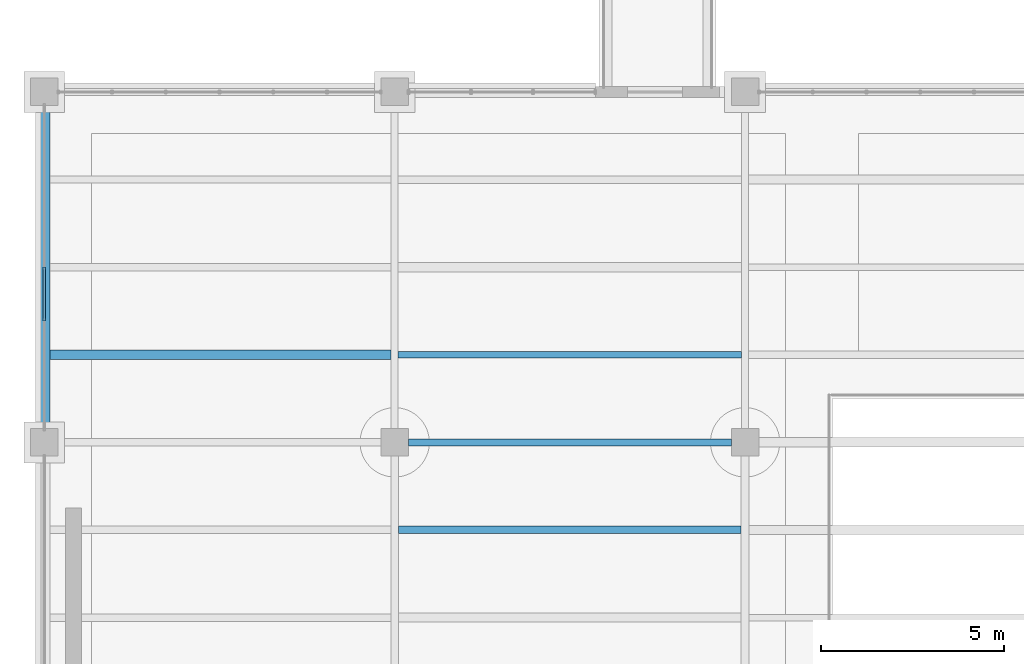
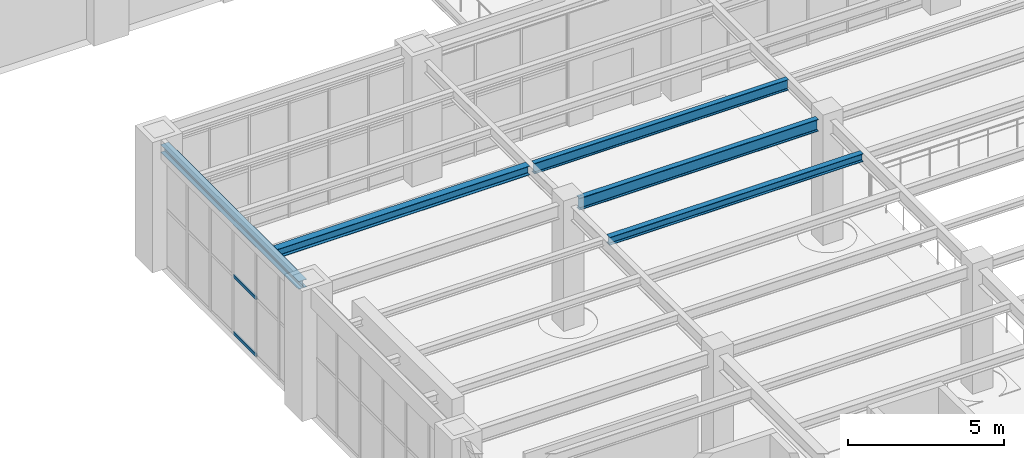
# One storey, part 15 of 174: 5 beams, 3 members, 1 element without a shape of its own.
"""IFC4 building model written with IfcOpenShell, lengths in metres."""

from ifc_helpers import new_model, si_unit, direction, frame, origin, origin_2d, place, context, subcontext, project, spatial, hollow_rectangle, i_section, extrude, material, material_profile, profile_set, type_object, element, aggregate, save


model = new_model("IFC4")

# Units and contexts
model_context = context("Model", 3, precision=1e-05, world=origin(), true_north=direction((0.0, 1.0)))
body_context = subcontext(model_context, "Body", "Model", "MODEL_VIEW")
ifc_project = project(units=[si_unit("LENGTHUNIT", "METRE"), si_unit("AREAUNIT", "SQUARE_METRE"), si_unit("VOLUMEUNIT", "CUBIC_METRE"), si_unit("PLANEANGLEUNIT", "RADIAN"), si_unit("MASSUNIT", "GRAM", prefix="KILO")], contexts=[model_context])

# Site, building, storey
site_placement = place(None, origin())
site = spatial("IfcSite", under=ifc_project, at=site_placement, CompositionType="ELEMENT")
building_placement = place(site_placement, origin())
building = spatial("IfcBuilding", under=site, at=building_placement, Name="Mavantir Sound Aquarium", CompositionType="ELEMENT")
storey_placement = place(building_placement, frame((0.0, 0.0, 5.39990234375)))
storey = spatial("IfcBuildingStorey", under=building, at=storey_placement, Name="L01", CompositionType="ELEMENT", Elevation=5.39990234375)

# Beams
ifc_material_1 = material(Name="Structural Steel ASTM A992 Gr50", Category="steel")
ifc_material_profile_1 = material_profile(ifc_material_1, i_section(OverallWidth=0.205078125, OverallDepth=0.31005859375, WebThickness=0.009521484375, FlangeThickness=0.016357421875, FilletRadius=0.012939453125, at=origin_2d()), Name="W310X74")
ifc_profile_set_1 = profile_set([ifc_material_profile_1], Name="Structural Steel ASTM A992 Gr50")
beam_type_1 = type_object("IfcBeamType", Name="BM-W310X74-I", PredefinedType="JOIST", material=ifc_profile_set_1)
beam_1_placement = place(storey_placement, frame((9.7060546875, 16.800048828125, 4.64111328125), z_axis=(1.0, 0.0, 0.0), x_axis=(0.0, 1.0, 0.0)))
element("IfcBeam", 1, at=beam_1_placement, inside=storey, type_object=beam_type_1, Name="L01 secondary floor joist SJ-31 703", PredefinedType="JOIST", context=body_context, shape_type="SweptSolid", body=[
    extrude(i_section(OverallWidth=0.205078125, OverallDepth=0.31005859375, WebThickness=0.009521484375, FlangeThickness=0.016357421875, FilletRadius=0.012939453125, at=origin_2d()), origin(), (0.0, 0.0, 1.0), 9.387939453125),
])
ifc_material_profile_2 = material_profile(ifc_material_1, i_section(OverallWidth=0.304931640625, OverallDepth=0.30810546875, WebThickness=0.010009765625, FlangeThickness=0.015380859375, FilletRadius=0.014892578125, at=origin_2d()), Name="W310X97")
ifc_profile_set_2 = profile_set([ifc_material_profile_2], Name="Structural Steel ASTM A992 Gr50")
beam_type_2 = type_object("IfcBeamType", Name="BM-W310X97-E", PredefinedType="SPANDREL", material=ifc_profile_set_2)
beam_2_placement = place(storey_placement, frame((0.0, 19.574951171875, 4.6220703125), z_axis=(0.0, 1.0, 0.0), x_axis=(-1.0, 0.0, 0.0)))
element("IfcBeam", 2, at=beam_2_placement, inside=storey, type_object=beam_type_2, Name="L01 primary girder SS-31A 1224", PredefinedType="SPANDREL", context=body_context, shape_type="SweptSolid", body=[
    extrude(i_section(OverallWidth=0.304931640625, OverallDepth=0.30810546875, WebThickness=0.010009765625, FlangeThickness=0.015380859375, FilletRadius=0.014892578125, at=origin_2d()), origin(), (0.0, 0.0, 1.0), 8.85009765625),
])
ifc_material_profile_3 = material_profile(ifc_material_1, i_section(OverallWidth=0.25390625, OverallDepth=0.35302734375, WebThickness=0.009521484375, FlangeThickness=0.016357421875, FilletRadius=0.014892578125, at=origin_2d()), Name="W360X91")
ifc_profile_set_3 = profile_set([ifc_material_profile_3], Name="Structural Steel ASTM A992 Gr50")
beam_type_3 = type_object("IfcBeamType", Name="BM-W360X91-I", PredefinedType="JOIST", material=ifc_profile_set_3)
beam_3_placement = place(storey_placement, frame((0.152587890625, 21.60009765625, 4.599609375), z_axis=(1.0, 0.0, 0.0), x_axis=(0.0, 1.0, 0.0)))
element("IfcBeam", 3, at=beam_3_placement, inside=storey, type_object=beam_type_3, Name="L01 secondary floor joist SJ-36 710", PredefinedType="JOIST", context=body_context, shape_type="SweptSolid", body=[
    extrude(i_section(OverallWidth=0.25390625, OverallDepth=0.35302734375, WebThickness=0.009521484375, FlangeThickness=0.016357421875, FilletRadius=0.014892578125, at=origin_2d()), origin(), (0.0, 0.0, 1.0), 9.350341796875),
])
ifc_material_profile_4 = material_profile(ifc_material_1, i_section(OverallWidth=0.180908203125, OverallDepth=0.4169921875, WebThickness=0.010986328125, FlangeThickness=0.018310546875, FilletRadius=0.014892578125, at=origin_2d()), Name="W410X85")
ifc_profile_set_4 = profile_set([ifc_material_profile_4], Name="Structural Steel ASTM A992 Gr50")
beam_type_4 = type_object("IfcBeamType", Name="BM-W410X85-I", PredefinedType="JOIST", material=ifc_profile_set_4)
beam_4_placement = place(storey_placement, frame((9.697021484375, 21.60009765625, 4.567626953125), z_axis=(1.0, 0.0, 0.0), x_axis=(0.0, 1.0, 0.0)))
element("IfcBeam", 4, at=beam_4_placement, inside=storey, type_object=beam_type_4, Name="L01 secondary floor joist SJ-41 713", PredefinedType="JOIST", context=body_context, shape_type="SweptSolid", body=[
    extrude(i_section(OverallWidth=0.180908203125, OverallDepth=0.4169921875, WebThickness=0.010986328125, FlangeThickness=0.018310546875, FilletRadius=0.014892578125, at=origin_2d()), origin(), (0.0, 0.0, 1.0), 9.406005859375),
])
ifc_material_profile_5 = material_profile(ifc_material_1, i_section(OverallWidth=0.194091796875, OverallDepth=0.468994140625, WebThickness=0.0126953125, FlangeThickness=0.0205078125, FilletRadius=0.01611328125, at=origin_2d()), Name="W460X106")
ifc_profile_set_5 = profile_set([ifc_material_profile_5], Name="Structural Steel ASTM A992 Gr50")
beam_type_5 = type_object("IfcBeamType", Name="BM-W460X106-I", PredefinedType="BEAM", material=ifc_profile_set_5)
beam_5_placement = place(storey_placement, frame((9.97509765625, 19.199951171875, 4.54150390625), z_axis=(1.0, 0.0, 0.0), x_axis=(0.0, 1.0, 0.0)))
element("IfcBeam", 5, at=beam_5_placement, inside=storey, type_object=beam_type_5, Name="L01 primary beam SB-46 1215", PredefinedType="BEAM", context=body_context, shape_type="SweptSolid", body=[
    extrude(i_section(OverallWidth=0.194091796875, OverallDepth=0.468994140625, WebThickness=0.0126953125, FlangeThickness=0.0205078125, FilletRadius=0.01611328125, at=origin_2d()), origin(), (0.0, 0.0, 1.0), 8.849853515625),
])

# Curtain wall, members
ifc_material_2 = material(Name="Anodised Marine Aluminium and Low-E Glass", Category="aluminium")
curtain_wall_type = type_object("IfcCurtainWallType", Name="CW-T02", PredefinedType="USERDEFINED", material=ifc_material_2)
curtain_wall_placement = place(storey_placement, origin())
curtain_wall = element("IfcCurtainWall", 6, at=curtain_wall_placement, inside=storey, type_object=curtain_wall_type, Name="L01 unitised curtain wall CW-02 74", ObjectType="UNITISED GLAZING", PredefinedType="USERDEFINED")
ifc_material_3 = material(Name="Anodised Marine Aluminium 6063-T6", Category="aluminium")
ifc_material_profile_6 = material_profile(ifc_material_3, hollow_rectangle(XDim=0.06005859375, YDim=0.110107421875, WallThickness=0.00390625, at=origin_2d()), Name="ALU-TRANSOM-110X60")
ifc_profile_set_6 = profile_set([ifc_material_profile_6], Name="Anodised Marine Aluminium 6063-T6")
member_type = type_object("IfcMemberType", Name="CW-TRN-110", PredefinedType="USERDEFINED", material=ifc_profile_set_6)
member_1_placement = place(storey_placement, frame((0.0, 24.0, 0.05517578125), z_axis=(0.0, -1.0, 0.0), x_axis=(1.0, 0.0, 0.0)))
member_1 = element("IfcMember", 7, at=member_1_placement, type_object=member_type, Name="CW-L01-074 transom 4.1", ObjectType="TRANSOM", PredefinedType="USERDEFINED", context=body_context, shape_type="SweptSolid", body=[
    extrude(hollow_rectangle(XDim=0.06005859375, YDim=0.110107421875, WallThickness=0.00390625, at=origin_2d()), origin(), (0.0, 0.0, 1.0), 1.472412109375),
])
member_2_placement = place(storey_placement, frame((0.0, 24.0, 2.284423828125), z_axis=(0.0, -1.0, 0.0), x_axis=(1.0, 0.0, 0.0)))
member_2 = element("IfcMember", 8, at=member_2_placement, type_object=member_type, Name="CW-L01-074 transom 4.2", ObjectType="TRANSOM", PredefinedType="USERDEFINED", context=body_context, shape_type="SweptSolid", body=[
    extrude(hollow_rectangle(XDim=0.06005859375, YDim=0.110107421875, WallThickness=0.00390625, at=origin_2d()), origin(), (0.0, 0.0, 1.0), 1.472412109375),
])
member_3_placement = place(storey_placement, frame((0.0, 24.0, 4.338134765625), z_axis=(0.0, -1.0, 0.0), x_axis=(1.0, 0.0, 0.0)))
member_3 = element("IfcMember", 9, at=member_3_placement, type_object=member_type, Name="CW-L01-074 transom 4.3", ObjectType="TRANSOM", PredefinedType="USERDEFINED", context=body_context, shape_type="SweptSolid", body=[
    extrude(hollow_rectangle(XDim=0.06005859375, YDim=0.110107421875, WallThickness=0.00390625, at=origin_2d()), origin(), (0.0, 0.0, 1.0), 1.472412109375),
])
aggregate(curtain_wall, [member_1, member_2, member_3])

save(model, "model.ifc")
